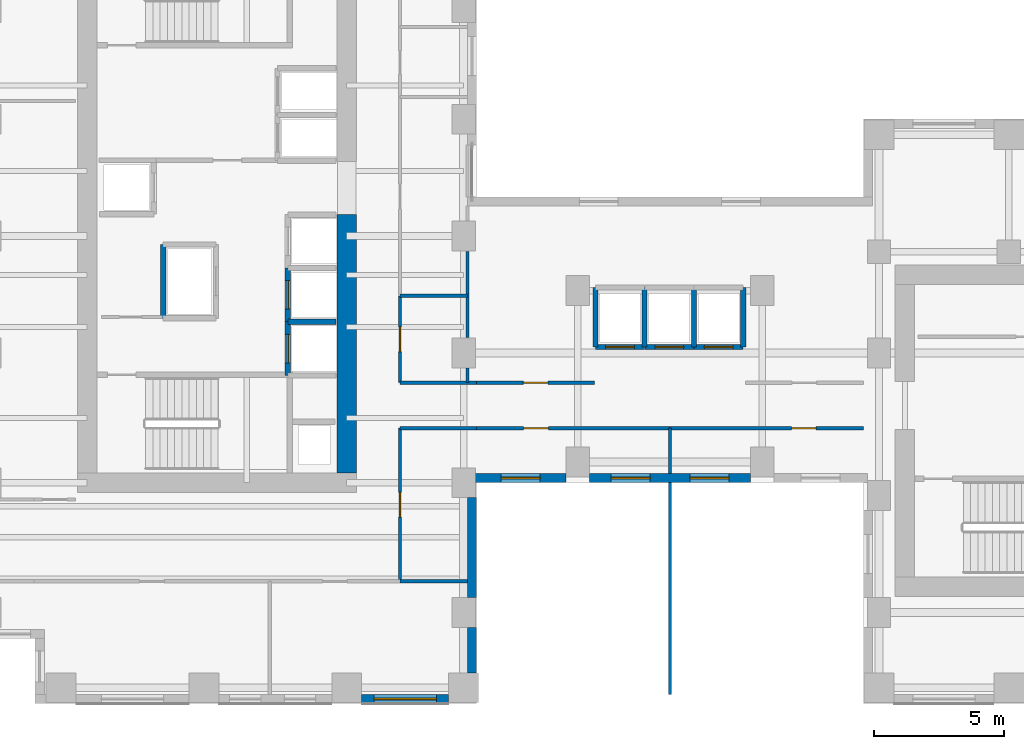
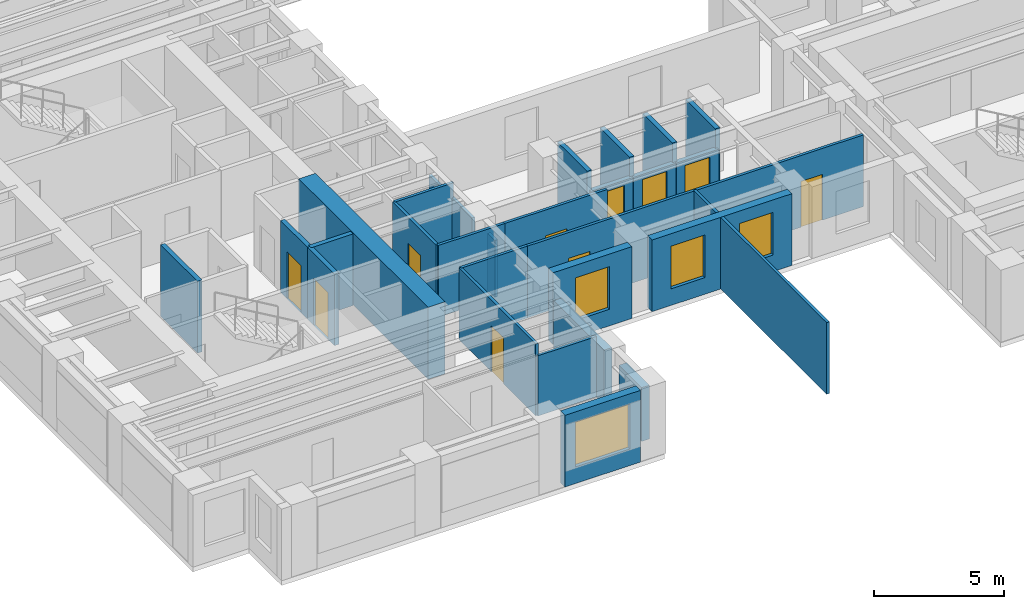
# One storey, part 7 of 14: 30 walls, 10 doors, 4 windows, 14 openings.
"""IFC4 building model written with IfcOpenShell, lengths in metres."""

from ifc_helpers import new_model, si_unit, direction, frame, frame_2d, origin, place, context, subcontext, project, spatial, rectangle, extrude, source, transform, mapped, material, layer, layer_set, type_object, element, fill, save


model = new_model("IFC4")

# Units and contexts
model_context = context("Model", 3, precision=1e-05, world=origin(), true_north=direction((0.0, 1.0)))
body_context = subcontext(model_context, "Body", "Model", "MODEL_VIEW")
ifc_project = project(units=[si_unit("LENGTHUNIT", "METRE"), si_unit("AREAUNIT", "SQUARE_METRE"), si_unit("VOLUMEUNIT", "CUBIC_METRE"), si_unit("PLANEANGLEUNIT", "RADIAN"), si_unit("MASSUNIT", "GRAM", prefix="KILO")], contexts=[model_context])

# Site, building, storey
site_placement = place(None, origin())
site = spatial("IfcSite", under=ifc_project, at=site_placement, CompositionType="ELEMENT")
building_placement = place(site_placement, origin())
building = spatial("IfcBuilding", under=site, at=building_placement, Name="Kharzan Plaza Tower", CompositionType="ELEMENT")
storey_placement = place(building_placement, frame((0.0, 0.0, 124.199951171875)))
storey = spatial("IfcBuildingStorey", under=building, at=storey_placement, Name="L33", CompositionType="ELEMENT", Elevation=124.199951171875)

# Wall, opening, window
ifc_material_1 = material(Name="Concrete C40/50", Category="concrete")
ifc_layer_1 = layer(ifc_material_1, 0.35009765625)
ifc_layer_set_1 = layer_set([ifc_layer_1], Name="Concrete C40/50")
wall_type_1 = type_object("IfcWallType", Name="WL-EXT-MAS-Z2", PredefinedType="SOLIDWALL", material=ifc_layer_set_1)
wall_1_placement = place(storey_placement, frame((15.072998046875, 0.175048828125, 0.0), z_axis=(0.0, 0.0, 1.0), x_axis=(1.0, 0.0, 0.0)))
wall_1 = element("IfcWall", 1, at=wall_1_placement, inside=storey, type_object=wall_type_1, Name="L33 Masonry-Frame Exterior Wall 31", PredefinedType="SOLIDWALL", context=body_context, shape_type="SweptSolid", body=[
    extrude(rectangle(XDim=3.35400390625, YDim=0.35009765625, at=frame_2d((1.677001953125, 0.0))), origin(), (0.0, 0.0, 1.0), 3.364990234375),
])
opening_1_placement = place(wall_1_placement, frame((0.47705078125, 0.0, 0.780029296875)))
opening_1 = element("IfcOpeningElement", 2, at=opening_1_placement, cuts=wall_1, Name="Opening W2", PredefinedType="OPENING", context=body_context, shape_type="SweptSolid", body=[
    extrude(rectangle(XDim=2.39990234375, YDim=2.10009765625, at=frame_2d((1.199951171875, 1.050048828125))), frame((0.0, 0.18505859375, 0.0), z_axis=(0.0, -1.0, 0.0), x_axis=(1.0, 0.0, 0.0)), (0.0, 0.0, 1.0), 0.3701171875),
])
ifc_material_2 = material(Name="Low-E Double Glazing", Category="glass")
window_type_1 = type_object("IfcWindowType", Name="WN-REC-2400x2100", PartitioningType="SINGLE_PANEL", PredefinedType="WINDOW", material=ifc_material_2)
shared_shape_1 = source(origin(), body_context, "Body", "SweptSolid", [
    extrude(rectangle(XDim=2.39990234375, YDim=2.10009765625, at=frame_2d((1.199951171875, 1.050048828125))), frame((0.0, 0.030029296875, 0.0), z_axis=(0.0, -1.0, 0.0), x_axis=(1.0, 0.0, 0.0)), (0.0, 0.0, 1.0), 0.06005859375),
])
window_1_placement = place(opening_1_placement, origin())
window_1 = element("IfcWindow", 3, at=window_1_placement, inside=storey, type_object=window_type_1, Name="L33 Wide Recessed Solar-Control Window 31-1", OverallHeight=2.10009765625, OverallWidth=2.39990234375, PartitioningType="SINGLE_PANEL", PredefinedType="WINDOW", context=body_context, shape_type="MappedRepresentation", body=[
    mapped(shared_shape_1, transform((0.0, 0.0, 0.0), x_axis=(1.0, 0.0, 0.0), y_axis=(0.0, 1.0, 0.0), z_axis=(0.0, 0.0, 1.0))),
])
fill(opening_1, window_1)

wall_2_placement = place(storey_placement, frame((19.447998046875, 8.675048828125, 0.0), z_axis=(0.0, 0.0, 1.0), x_axis=(1.0, 0.0, 0.0)))
wall_2 = element("IfcWall", 4, at=wall_2_placement, inside=storey, type_object=wall_type_1, Name="L33 Masonry-Frame Exterior Wall 34", PredefinedType="SOLIDWALL", context=body_context, shape_type="SweptSolid", body=[
    extrude(rectangle(XDim=3.50390625, YDim=0.35009765625, at=frame_2d((1.751953125, 0.0))), origin(), (0.0, 0.0, 1.0), 3.364990234375),
])
opening_2_placement = place(wall_2_placement, frame((1.001953125, 0.0, 0.780029296875)))
opening_2 = element("IfcOpeningElement", 5, at=opening_2_placement, cuts=wall_2, Name="Opening W5", PredefinedType="OPENING", context=body_context, shape_type="SweptSolid", body=[
    extrude(rectangle(XDim=1.5, YDim=2.0, at=frame_2d((0.75, 1.0))), frame((0.0, 0.18505859375, 0.0), z_axis=(0.0, -1.0, 0.0), x_axis=(1.0, 0.0, 0.0)), (0.0, 0.0, 1.0), 0.3701171875),
])
window_type_2 = type_object("IfcWindowType", Name="WN-SLT-1500x2000", PartitioningType="SINGLE_PANEL", PredefinedType="WINDOW", material=ifc_material_2)
shared_shape_2 = source(origin(), body_context, "Body", "SweptSolid", [
    extrude(rectangle(XDim=1.5, YDim=2.0, at=frame_2d((0.75, 1.0))), frame((0.0, 0.030029296875, 0.0), z_axis=(0.0, -1.0, 0.0), x_axis=(1.0, 0.0, 0.0)), (0.0, 0.0, 1.0), 0.06005859375),
])
window_2_placement = place(opening_2_placement, origin())
window_2 = element("IfcWindow", 6, at=window_2_placement, inside=storey, type_object=window_type_2, Name="L33 Recessed Solar-Control Window 34-1", OverallHeight=2.0, OverallWidth=1.5, PartitioningType="SINGLE_PANEL", PredefinedType="WINDOW", context=body_context, shape_type="MappedRepresentation", body=[
    mapped(shared_shape_2, transform((0.0, 0.0, 0.0), x_axis=(1.0, 0.0, 0.0), y_axis=(0.0, 1.0, 0.0), z_axis=(0.0, 0.0, 1.0))),
])
fill(opening_2, window_2)

# Wall, openings, windows
wall_3_placement = place(storey_placement, frame((23.847900390625, 8.675048828125, 0.0), z_axis=(0.0, 0.0, 1.0), x_axis=(1.0, 0.0, 0.0)))
wall_3 = element("IfcWall", 7, at=wall_3_placement, inside=storey, type_object=wall_type_1, Name="L33 Masonry-Frame Exterior Wall 35", PredefinedType="SOLIDWALL", context=body_context, shape_type="SweptSolid", body=[
    extrude(rectangle(XDim=6.2041015625, YDim=0.35009765625, at=frame_2d((3.10205078125, 0.0))), origin(), (0.0, 0.0, 1.0), 3.364990234375),
])
opening_3_placement = place(wall_3_placement, frame((0.8359375, 0.0, 0.780029296875)))
opening_3 = element("IfcOpeningElement", 8, at=opening_3_placement, cuts=wall_3, Name="Opening W5", PredefinedType="OPENING", context=body_context, shape_type="SweptSolid", body=[
    extrude(rectangle(XDim=1.5, YDim=2.0, at=frame_2d((0.75, 1.0))), frame((0.0, 0.18505859375, 0.0), z_axis=(0.0, -1.0, 0.0), x_axis=(1.0, 0.0, 0.0)), (0.0, 0.0, 1.0), 0.3701171875),
])
opening_4_placement = place(wall_3_placement, frame((3.867919921875, 0.0, 0.780029296875)))
opening_4 = element("IfcOpeningElement", 9, at=opening_4_placement, cuts=wall_3, Name="Opening W5", PredefinedType="OPENING", context=body_context, shape_type="SweptSolid", body=[
    extrude(rectangle(XDim=1.5, YDim=2.0, at=frame_2d((0.75, 1.0))), frame((0.0, 0.18505859375, 0.0), z_axis=(0.0, -1.0, 0.0), x_axis=(1.0, 0.0, 0.0)), (0.0, 0.0, 1.0), 0.3701171875),
])
window_3_placement = place(opening_3_placement, origin())
window_3 = element("IfcWindow", 10, at=window_3_placement, inside=storey, type_object=window_type_2, Name="L33 Recessed Solar-Control Window 35-1", OverallHeight=2.0, OverallWidth=1.5, PartitioningType="SINGLE_PANEL", PredefinedType="WINDOW", context=body_context, shape_type="MappedRepresentation", body=[
    mapped(shared_shape_2, transform((0.0, 0.0, 0.0), x_axis=(1.0, 0.0, 0.0), y_axis=(0.0, 1.0, 0.0), z_axis=(0.0, 0.0, 1.0))),
])
fill(opening_3, window_3)
window_4_placement = place(opening_4_placement, origin())
window_4 = element("IfcWindow", 11, at=window_4_placement, inside=storey, type_object=window_type_2, Name="L33 Recessed Solar-Control Window 35-2", OverallHeight=2.0, OverallWidth=1.5, PartitioningType="SINGLE_PANEL", PredefinedType="WINDOW", context=body_context, shape_type="MappedRepresentation", body=[
    mapped(shared_shape_2, transform((0.0, 0.0, 0.0), x_axis=(1.0, 0.0, 0.0), y_axis=(0.0, 1.0, 0.0), z_axis=(0.0, 0.0, 1.0))),
])
fill(opening_4, window_4)

# Wall, opening, door
ifc_material_3 = material(Name="Fire-Rated Gypsum Board Partition", Category="gypsum")
ifc_layer_2 = layer(ifc_material_3, 0.125)
ifc_layer_set_2 = layer_set([ifc_layer_2], Name="Fire-Rated Gypsum Board Partition")
wall_type_2 = type_object("IfcWallType", Name="WL-INT-PART-125", PredefinedType="PARTITIONING", material=ifc_layer_set_2)
wall_4_placement = place(storey_placement, frame((16.550048828125, 12.35009765625, 0.0), z_axis=(0.0, 0.0, 1.0), x_axis=(0.0, 1.0, 0.0)))
wall_4 = element("IfcWall", 12, at=wall_4_placement, inside=storey, type_object=wall_type_2, Name="L33 Interior Partition SH-AEWN1", PredefinedType="PARTITIONING", context=body_context, shape_type="SweptSolid", body=[
    extrude(rectangle(XDim=3.349853515625, YDim=0.125, at=frame_2d((1.6748046875, 0.0))), origin(), (0.0, 0.0, 1.0), 3.364990234375),
])
opening_5_placement = place(wall_4_placement, frame((1.199951171875, 0.0, 0.0)))
opening_5 = element("IfcOpeningElement", 13, at=opening_5_placement, cuts=wall_4, Name="Opening OD1", PredefinedType="OPENING", context=body_context, shape_type="SweptSolid", body=[
    extrude(rectangle(XDim=0.949951171875, YDim=2.14990234375, at=frame_2d((0.47509765625, 1.074951171875))), frame((0.0, 0.072509765625, 0.0), z_axis=(0.0, -1.0, 0.0), x_axis=(1.0, 0.0, 0.0)), (0.0, 0.0, 1.0), 0.14501953125),
])
ifc_material_4 = material(Name="Acoustic Solid-Core Stained Oak", Category="timber")
door_type_1 = type_object("IfcDoorType", Name="DR-OFF-SINGLE", OperationType="NOTDEFINED", PredefinedType="DOOR", material=ifc_material_4)
shared_shape_3 = source(origin(), body_context, "Body", "SweptSolid", [
    extrude(rectangle(XDim=0.949951171875, YDim=2.14990234375, at=frame_2d((0.47509765625, 1.074951171875))), frame((0.0, 0.02490234375, 0.0), z_axis=(0.0, -1.0, 0.0), x_axis=(1.0, 0.0, 0.0)), (0.0, 0.0, 1.0), 0.050048828125),
])
door_1_placement = place(opening_5_placement, origin())
door_1 = element("IfcDoor", 14, at=door_1_placement, inside=storey, type_object=door_type_1, Name="L33 Slot Collaboration Door", OperationType="SINGLE_SWING_RIGHT", OverallHeight=2.14990234375, OverallWidth=0.949951171875, PredefinedType="DOOR", context=body_context, shape_type="MappedRepresentation", body=[
    mapped(shared_shape_3, transform((0.0, 0.0, 0.0), x_axis=(1.0, 0.0, 0.0), y_axis=(0.0, 1.0, 0.0), z_axis=(0.0, 0.0, 1.0))),
])
fill(opening_5, door_1)

wall_5_placement = place(storey_placement, frame((16.550048828125, 4.699951171875, 0.0), z_axis=(0.0, 0.0, 1.0), x_axis=(0.0, 1.0, 0.0)))
wall_5 = element("IfcWall", 15, at=wall_5_placement, inside=storey, type_object=wall_type_2, Name="L33 Interior Partition SH-AEWS", PredefinedType="PARTITIONING", context=body_context, shape_type="SweptSolid", body=[
    extrude(rectangle(XDim=5.900146484375, YDim=0.125, at=frame_2d((2.9501953125, 0.0))), origin(), (0.0, 0.0, 1.0), 3.364990234375),
])
opening_6_placement = place(wall_5_placement, frame((2.47509765625, 0.0, 0.0)))
opening_6 = element("IfcOpeningElement", 16, at=opening_6_placement, cuts=wall_5, Name="Opening OD1", PredefinedType="OPENING", context=body_context, shape_type="SweptSolid", body=[
    extrude(rectangle(XDim=0.949951171875, YDim=2.14990234375, at=frame_2d((0.47509765625, 1.074951171875))), frame((0.0, 0.072509765625, 0.0), z_axis=(0.0, -1.0, 0.0), x_axis=(1.0, 0.0, 0.0)), (0.0, 0.0, 1.0), 0.14501953125),
])
door_2_placement = place(opening_6_placement, origin())
door_2 = element("IfcDoor", 17, at=door_2_placement, inside=storey, type_object=door_type_1, Name="L33 Slot South Office Door", OperationType="SINGLE_SWING_LEFT", OverallHeight=2.14990234375, OverallWidth=0.949951171875, PredefinedType="DOOR", context=body_context, shape_type="MappedRepresentation", body=[
    mapped(shared_shape_3, transform((0.0, 0.0, 0.0), x_axis=(1.0, 0.0, 0.0), y_axis=(0.0, 1.0, 0.0), z_axis=(0.0, 0.0, 1.0))),
])
fill(opening_6, door_2)

wall_6_placement = place(storey_placement, frame((19.5, 12.35009765625, 0.0), z_axis=(0.0, 0.0, 1.0), x_axis=(1.0, 0.0, 0.0)))
wall_6 = element("IfcWall", 18, at=wall_6_placement, inside=storey, type_object=wall_type_2, Name="L33 Interior Partition SH-SPNW1", PredefinedType="PARTITIONING", context=body_context, shape_type="SweptSolid", body=[
    extrude(rectangle(XDim=4.550048828125, YDim=0.125, at=frame_2d((2.27490234375, 0.0))), origin(), (0.0, 0.0, 1.0), 3.364990234375),
])
opening_7_placement = place(wall_6_placement, frame((1.800048828125, 0.0, 0.0)))
opening_7 = element("IfcOpeningElement", 19, at=opening_7_placement, cuts=wall_6, Name="Opening OD1", PredefinedType="OPENING", context=body_context, shape_type="SweptSolid", body=[
    extrude(rectangle(XDim=0.949951171875, YDim=2.14990234375, at=frame_2d((0.47509765625, 1.074951171875))), frame((0.0, 0.072509765625, 0.0), z_axis=(0.0, -1.0, 0.0), x_axis=(1.0, 0.0, 0.0)), (0.0, 0.0, 1.0), 0.14501953125),
])
door_3_placement = place(opening_7_placement, origin())
door_3 = element("IfcDoor", 20, at=door_3_placement, inside=storey, type_object=door_type_1, Name="L33 North-West Spine Door", OperationType="SINGLE_SWING_RIGHT", OverallHeight=2.14990234375, OverallWidth=0.949951171875, PredefinedType="DOOR", context=body_context, shape_type="MappedRepresentation", body=[
    mapped(shared_shape_3, transform((0.0, 0.0, 0.0), x_axis=(1.0, 0.0, 0.0), y_axis=(0.0, 1.0, 0.0), z_axis=(0.0, 0.0, 1.0))),
])
fill(opening_7, door_3)

wall_7_placement = place(storey_placement, frame((19.5, 10.60009765625, 0.0), z_axis=(0.0, 0.0, 1.0), x_axis=(1.0, 0.0, 0.0)))
wall_7 = element("IfcWall", 21, at=wall_7_placement, inside=storey, type_object=wall_type_2, Name="L33 Interior Partition SH-SPS1", PredefinedType="PARTITIONING", context=body_context, shape_type="SweptSolid", body=[
    extrude(rectangle(XDim=7.449951171875, YDim=0.125, at=frame_2d((3.72509765625, 0.0))), origin(), (0.0, 0.0, 1.0), 3.364990234375),
])
opening_8_placement = place(wall_7_placement, frame((1.8173828125, 0.0, 0.0)))
opening_8 = element("IfcOpeningElement", 22, at=opening_8_placement, cuts=wall_7, Name="Opening OD1", PredefinedType="OPENING", context=body_context, shape_type="SweptSolid", body=[
    extrude(rectangle(XDim=0.949951171875, YDim=2.14990234375, at=frame_2d((0.47509765625, 1.074951171875))), frame((0.0, 0.072509765625, 0.0), z_axis=(0.0, -1.0, 0.0), x_axis=(1.0, 0.0, 0.0)), (0.0, 0.0, 1.0), 0.14501953125),
])
door_4_placement = place(opening_8_placement, origin())
door_4 = element("IfcDoor", 23, at=door_4_placement, inside=storey, type_object=door_type_1, Name="L33 South Spine West Door", OperationType="SINGLE_SWING_RIGHT", OverallHeight=2.14990234375, OverallWidth=0.949951171875, PredefinedType="DOOR", context=body_context, shape_type="MappedRepresentation", body=[
    mapped(shared_shape_3, transform((0.0, 0.0, 0.0), x_axis=(1.0, 0.0, 0.0), y_axis=(0.0, 1.0, 0.0), z_axis=(0.0, 0.0, 1.0))),
])
fill(opening_8, door_4)

wall_8_placement = place(storey_placement, frame((26.949951171875, 10.60009765625, 0.0), z_axis=(0.0, 0.0, 1.0), x_axis=(1.0, 0.0, 0.0)))
wall_8 = element("IfcWall", 24, at=wall_8_placement, inside=storey, type_object=wall_type_2, Name="L33 Interior Partition SH-SPS2", PredefinedType="PARTITIONING", context=body_context, shape_type="SweptSolid", body=[
    extrude(rectangle(XDim=7.449951171875, YDim=0.125, at=frame_2d((3.72509765625, 0.0))), origin(), (0.0, 0.0, 1.0), 3.364990234375),
])
opening_9_placement = place(wall_8_placement, frame((4.6826171875, 0.0, 0.0)))
opening_9 = element("IfcOpeningElement", 25, at=opening_9_placement, cuts=wall_8, Name="Opening OD1", PredefinedType="OPENING", context=body_context, shape_type="SweptSolid", body=[
    extrude(rectangle(XDim=0.949951171875, YDim=2.14990234375, at=frame_2d((0.47509765625, 1.074951171875))), frame((0.0, 0.072509765625, 0.0), z_axis=(0.0, -1.0, 0.0), x_axis=(1.0, 0.0, 0.0)), (0.0, 0.0, 1.0), 0.14501953125),
])
door_5_placement = place(opening_9_placement, origin())
door_5 = element("IfcDoor", 26, at=door_5_placement, inside=storey, type_object=door_type_1, Name="L33 South Spine East Door", OperationType="SINGLE_SWING_LEFT", OverallHeight=2.14990234375, OverallWidth=0.949951171875, PredefinedType="DOOR", context=body_context, shape_type="MappedRepresentation", body=[
    mapped(shared_shape_3, transform((0.0, 0.0, 0.0), x_axis=(1.0, 0.0, 0.0), y_axis=(0.0, 1.0, 0.0), z_axis=(0.0, 0.0, 1.0))),
])
fill(opening_9, door_5)

ifc_layer_3 = layer(ifc_material_1, 0.199951171875)
ifc_layer_set_3 = layer_set([ifc_layer_3], Name="Concrete C40/50")
wall_type_3 = type_object("IfcWallType", Name="WL-INT-SHAFT-200", PredefinedType="PARTITIONING", material=ifc_layer_set_3)
wall_9_placement = place(storey_placement, frame((12.22998046875, 12.6298828125, 0.0), z_axis=(0.0, 0.0, 1.0), x_axis=(0.0, 1.0, 0.0)))
wall_9 = element("IfcWall", 27, at=wall_9_placement, inside=storey, type_object=wall_type_3, Name="L33 Interior Partition SHF-PL-H1-W", PredefinedType="PARTITIONING", context=body_context, shape_type="SweptSolid", body=[
    extrude(rectangle(XDim=2.070068359375, YDim=0.199951171875, at=frame_2d((1.03515625, 0.0))), origin(), (0.0, 0.0, 1.0), 3.364990234375),
])
opening_10_placement = place(wall_9_placement, frame((0.485107421875, 0.0, 0.0)))
opening_10 = element("IfcOpeningElement", 28, at=opening_10_placement, cuts=wall_9, Name="Opening LD", PredefinedType="OPENING", context=body_context, shape_type="SweptSolid", body=[
    extrude(rectangle(XDim=1.10009765625, YDim=2.199951171875, at=frame_2d((0.550048828125, 1.10009765625))), frame((0.0, 0.10986328125, 0.0), z_axis=(0.0, -1.0, 0.0), x_axis=(1.0, 0.0, 0.0)), (0.0, 0.0, 1.0), 0.219970703125),
])
ifc_material_5 = material(Name="Brushed Stainless Steel", Category="steel")
door_type_2 = type_object("IfcDoorType", Name="DR-LIFT-SLIDE", OperationType="SLIDING_TO_LEFT", PredefinedType="DOOR", material=ifc_material_5)
shared_shape_4 = source(origin(), body_context, "Body", "SweptSolid", [
    extrude(rectangle(XDim=1.10009765625, YDim=2.199951171875, at=frame_2d((0.550048828125, 1.10009765625))), frame((0.0, 0.02490234375, 0.0), z_axis=(0.0, -1.0, 0.0), x_axis=(1.0, 0.0, 0.0)), (0.0, 0.0, 1.0), 0.050048828125),
])
door_6_placement = place(opening_10_placement, origin())
door_6 = element("IfcDoor", 29, at=door_6_placement, inside=storey, type_object=door_type_2, Name="L33 High-Rise Passenger Lift PL-H1 Sliding Landing Door", OperationType="SLIDING_TO_LEFT", OverallHeight=2.199951171875, OverallWidth=1.10009765625, PredefinedType="DOOR", context=body_context, shape_type="MappedRepresentation", body=[
    mapped(shared_shape_4, transform((0.0, 0.0, 0.0), x_axis=(1.0, 0.0, 0.0), y_axis=(0.0, 1.0, 0.0), z_axis=(0.0, 0.0, 1.0))),
])
fill(opening_10, door_6)

wall_10_placement = place(storey_placement, frame((12.22998046875, 14.699951171875, 0.0), z_axis=(0.0, 0.0, 1.0), x_axis=(0.0, 1.0, 0.0)))
wall_10 = element("IfcWall", 30, at=wall_10_placement, inside=storey, type_object=wall_type_3, Name="L33 Interior Partition SHF-PL-H2-W", PredefinedType="PARTITIONING", context=body_context, shape_type="SweptSolid", body=[
    extrude(rectangle(XDim=2.070068359375, YDim=0.199951171875, at=frame_2d((1.03515625, 0.0))), origin(), (0.0, 0.0, 1.0), 3.364990234375),
])
opening_11_placement = place(wall_10_placement, frame((0.485107421875, 0.0, 0.0)))
opening_11 = element("IfcOpeningElement", 31, at=opening_11_placement, cuts=wall_10, Name="Opening LD", PredefinedType="OPENING", context=body_context, shape_type="SweptSolid", body=[
    extrude(rectangle(XDim=1.10009765625, YDim=2.199951171875, at=frame_2d((0.550048828125, 1.10009765625))), frame((0.0, 0.10986328125, 0.0), z_axis=(0.0, -1.0, 0.0), x_axis=(1.0, 0.0, 0.0)), (0.0, 0.0, 1.0), 0.219970703125),
])
door_7_placement = place(opening_11_placement, origin())
door_7 = element("IfcDoor", 32, at=door_7_placement, inside=storey, type_object=door_type_2, Name="L33 High-Rise Passenger Lift PL-H2 Sliding Landing Door", OperationType="SLIDING_TO_LEFT", OverallHeight=2.199951171875, OverallWidth=1.10009765625, PredefinedType="DOOR", context=body_context, shape_type="MappedRepresentation", body=[
    mapped(shared_shape_4, transform((0.0, 0.0, 0.0), x_axis=(1.0, 0.0, 0.0), y_axis=(0.0, 1.0, 0.0), z_axis=(0.0, 0.0, 1.0))),
])
fill(opening_11, door_7)

wall_11_placement = place(storey_placement, frame((24.080078125, 13.72998046875, 0.0), z_axis=(0.0, 0.0, 1.0), x_axis=(1.0, 0.0, 0.0)))
wall_11 = element("IfcWall", 33, at=wall_11_placement, inside=storey, type_object=wall_type_3, Name="L33 Interior Partition SHF-PL-M1-S", PredefinedType="PARTITIONING", context=body_context, shape_type="SweptSolid", body=[
    extrude(rectangle(XDim=1.889892578125, YDim=0.199951171875, at=frame_2d((0.94482421875, 0.0))), origin(), (0.0, 0.0, 1.0), 2.446044921875),
])
opening_12_placement = place(wall_11_placement, frame((0.39501953125, 0.0, 0.0)))
opening_12 = element("IfcOpeningElement", 34, at=opening_12_placement, cuts=wall_11, Name="Opening LD", PredefinedType="OPENING", context=body_context, shape_type="SweptSolid", body=[
    extrude(rectangle(XDim=1.10009765625, YDim=2.199951171875, at=frame_2d((0.550048828125, 1.10009765625))), frame((0.0, 0.10986328125, 0.0), z_axis=(0.0, -1.0, 0.0), x_axis=(1.0, 0.0, 0.0)), (0.0, 0.0, 1.0), 0.219970703125),
])
door_8_placement = place(opening_12_placement, origin())
door_8 = element("IfcDoor", 35, at=door_8_placement, inside=storey, type_object=door_type_2, Name="L33 Mid-Rise Passenger Lift PL-M1 Sliding Landing Door", OperationType="SLIDING_TO_LEFT", OverallHeight=2.199951171875, OverallWidth=1.10009765625, PredefinedType="DOOR", context=body_context, shape_type="MappedRepresentation", body=[
    mapped(shared_shape_4, transform((0.0, 0.0, 0.0), x_axis=(1.0, 0.0, 0.0), y_axis=(0.0, 1.0, 0.0), z_axis=(0.0, 0.0, 1.0))),
])
fill(opening_12, door_8)

wall_12_placement = place(storey_placement, frame((25.97998046875, 13.72998046875, 0.0), z_axis=(0.0, 0.0, 1.0), x_axis=(1.0, 0.0, 0.0)))
wall_12 = element("IfcWall", 36, at=wall_12_placement, inside=storey, type_object=wall_type_3, Name="L33 Interior Partition SHF-PL-M2-S", PredefinedType="PARTITIONING", context=body_context, shape_type="SweptSolid", body=[
    extrude(rectangle(XDim=1.89013671875, YDim=0.199951171875, at=frame_2d((0.945068359375, 0.0))), origin(), (0.0, 0.0, 1.0), 2.446044921875),
])
opening_13_placement = place(wall_12_placement, frame((0.39501953125, 0.0, 0.0)))
opening_13 = element("IfcOpeningElement", 37, at=opening_13_placement, cuts=wall_12, Name="Opening LD", PredefinedType="OPENING", context=body_context, shape_type="SweptSolid", body=[
    extrude(rectangle(XDim=1.10009765625, YDim=2.199951171875, at=frame_2d((0.550048828125, 1.10009765625))), frame((0.0, 0.10986328125, 0.0), z_axis=(0.0, -1.0, 0.0), x_axis=(1.0, 0.0, 0.0)), (0.0, 0.0, 1.0), 0.219970703125),
])
door_9_placement = place(opening_13_placement, origin())
door_9 = element("IfcDoor", 38, at=door_9_placement, inside=storey, type_object=door_type_2, Name="L33 Mid-Rise Passenger Lift PL-M2 Sliding Landing Door", OperationType="SLIDING_TO_LEFT", OverallHeight=2.199951171875, OverallWidth=1.10009765625, PredefinedType="DOOR", context=body_context, shape_type="MappedRepresentation", body=[
    mapped(shared_shape_4, transform((0.0, 0.0, 0.0), x_axis=(1.0, 0.0, 0.0), y_axis=(0.0, 1.0, 0.0), z_axis=(0.0, 0.0, 1.0))),
])
fill(opening_13, door_9)

wall_13_placement = place(storey_placement, frame((27.8798828125, 13.72998046875, 0.0), z_axis=(0.0, 0.0, 1.0), x_axis=(1.0, 0.0, 0.0)))
wall_13 = element("IfcWall", 39, at=wall_13_placement, inside=storey, type_object=wall_type_3, Name="L33 Interior Partition SHF-PL-M3-S", PredefinedType="PARTITIONING", context=body_context, shape_type="SweptSolid", body=[
    extrude(rectangle(XDim=1.89013671875, YDim=0.199951171875, at=frame_2d((0.945068359375, 0.0))), origin(), (0.0, 0.0, 1.0), 2.446044921875),
])
opening_14_placement = place(wall_13_placement, frame((0.39501953125, 0.0, 0.0)))
opening_14 = element("IfcOpeningElement", 40, at=opening_14_placement, cuts=wall_13, Name="Opening LD", PredefinedType="OPENING", context=body_context, shape_type="SweptSolid", body=[
    extrude(rectangle(XDim=1.10009765625, YDim=2.199951171875, at=frame_2d((0.550048828125, 1.10009765625))), frame((0.0, 0.10986328125, 0.0), z_axis=(0.0, -1.0, 0.0), x_axis=(1.0, 0.0, 0.0)), (0.0, 0.0, 1.0), 0.219970703125),
])
door_10_placement = place(opening_14_placement, origin())
door_10 = element("IfcDoor", 41, at=door_10_placement, inside=storey, type_object=door_type_2, Name="L33 Mid-Rise Passenger Lift PL-M3 Sliding Landing Door", OperationType="SLIDING_TO_LEFT", OverallHeight=2.199951171875, OverallWidth=1.10009765625, PredefinedType="DOOR", context=body_context, shape_type="MappedRepresentation", body=[
    mapped(shared_shape_4, transform((0.0, 0.0, 0.0), x_axis=(1.0, 0.0, 0.0), y_axis=(0.0, 1.0, 0.0), z_axis=(0.0, 0.0, 1.0))),
])
fill(opening_14, door_10)

# Walls
shared_shape_5 = source(origin(), body_context, "Body", "SweptSolid", [
    extrude(rectangle(XDim=2.949951171875, YDim=0.125, at=frame_2d((1.47509765625, 0.0))), origin(), (0.0, 0.0, 1.0), 3.364990234375),
])
for number, where, z_axis, x_axis, name in (
    (42, (16.550048828125, 12.35009765625, 0.0), (0.0, 0.0, 1.0), (1.0, 0.0, 0.0), "L33 Interior Partition SH-SPNW0"),
    (43, (16.550048828125, 10.60009765625, 0.0), (0.0, 0.0, 1.0), (1.0, 0.0, 0.0), "L33 Interior Partition SH-SPS0"),
):
    element("IfcWall", number, at=place(storey_placement, frame(where, z_axis=z_axis, x_axis=x_axis)), inside=storey, type_object=wall_type_2, Name=name, PredefinedType="PARTITIONING", context=body_context, shape_type="MappedRepresentation", body=[
        mapped(shared_shape_5, transform((0.0, 0.0, 0.0), x_axis=(1.0, 0.0, 0.0), y_axis=(0.0, 1.0, 0.0), z_axis=(0.0, 0.0, 1.0))),
    ])
shared_shape_6 = source(origin(), body_context, "Body", "SweptSolid", [
    extrude(rectangle(XDim=2.2900390625, YDim=0.199951171875, at=frame_2d((1.14501953125, 0.0))), origin(), (0.0, 0.0, 1.0), 3.364990234375),
])
for number, where, z_axis, x_axis, name in (
    (44, (25.969970703125, 13.72998046875, 0.0), (0.0, 0.0, 1.0), (0.0, 1.0, 0.0), "L33 Interior Partition SHF-PL-M1-E"),
    (45, (24.080078125, 13.72998046875, 0.0), (0.0, 0.0, 1.0), (0.0, 1.0, 0.0), "L33 Interior Partition SHF-PL-M1-W"),
    (46, (27.8701171875, 13.72998046875, 0.0), (0.0, 0.0, 1.0), (0.0, 1.0, 0.0), "L33 Interior Partition SHF-PL-M2-E"),
    (47, (29.77001953125, 13.72998046875, 0.0), (0.0, 0.0, 1.0), (0.0, 1.0, 0.0), "L33 Interior Partition SHF-PL-M3-E"),
):
    element("IfcWall", number, at=place(storey_placement, frame(where, z_axis=z_axis, x_axis=x_axis)), inside=storey, type_object=wall_type_3, Name=name, PredefinedType="PARTITIONING", context=body_context, shape_type="MappedRepresentation", body=[
        mapped(shared_shape_6, transform((0.0, 0.0, 0.0), x_axis=(1.0, 0.0, 0.0), y_axis=(0.0, 1.0, 0.0), z_axis=(0.0, 0.0, 1.0))),
    ])
shared_shape_7 = source(origin(), body_context, "Body", "SweptSolid", [
    extrude(rectangle(XDim=2.83984375, YDim=0.199951171875, at=frame_2d((1.419921875, 0.0))), origin(), (0.0, 0.0, 1.0), 3.364990234375),
])
wall_14_placement = place(storey_placement, frame((7.429931640625, 14.830078125, 0.0), z_axis=(0.0, 0.0, 1.0), x_axis=(0.0, 1.0, 0.0)))
element("IfcWall", 48, at=wall_14_placement, inside=storey, type_object=wall_type_3, Name="L33 Interior Partition SHF-SVL-1-W", PredefinedType="PARTITIONING", context=body_context, shape_type="MappedRepresentation", body=[
    mapped(shared_shape_7, transform((0.0, 0.0, 0.0), x_axis=(1.0, 0.0, 0.0), y_axis=(0.0, 1.0, 0.0), z_axis=(0.0, 0.0, 1.0))),
])
shared_shape_8 = source(origin(), body_context, "Body", "SweptSolid", [
    extrude(rectangle(XDim=8.14794921875, YDim=0.125, at=frame_2d((4.073974609375, 0.0))), origin(), (0.0, 0.0, 1.0), 3.364990234375),
])
wall_15_placement = place(storey_placement, frame((26.949951171875, 0.35009765625, 0.0), z_axis=(0.0, 0.0, 1.0), x_axis=(0.0, 1.0, 0.0)))
element("IfcWall", 49, at=wall_15_placement, inside=storey, type_object=wall_type_2, Name="L33 Interior Partition SH-SPSV1-S1", PredefinedType="PARTITIONING", context=body_context, shape_type="MappedRepresentation", body=[
    mapped(shared_shape_8, transform((0.0, 0.0, 0.0), x_axis=(1.0, 0.0, 0.0), y_axis=(0.0, 1.0, 0.0), z_axis=(0.0, 0.0, 1.0))),
])
shared_shape_9 = source(origin(), body_context, "Body", "SweptSolid", [
    extrude(rectangle(XDim=1.748046875, YDim=0.125, at=frame_2d((0.8740234375, 0.0))), origin(), (0.0, 0.0, 1.0), 3.364990234375),
])
wall_16_placement = place(storey_placement, frame((26.949951171875, 8.85205078125, 0.0), z_axis=(0.0, 0.0, 1.0), x_axis=(0.0, 1.0, 0.0)))
element("IfcWall", 50, at=wall_16_placement, inside=storey, type_object=wall_type_2, Name="L33 Interior Partition SH-SPSV1-S2", PredefinedType="PARTITIONING", context=body_context, shape_type="MappedRepresentation", body=[
    mapped(shared_shape_9, transform((0.0, 0.0, 0.0), x_axis=(1.0, 0.0, 0.0), y_axis=(0.0, 1.0, 0.0), z_axis=(0.0, 0.0, 1.0))),
])
shared_shape_10 = source(origin(), body_context, "Body", "SweptSolid", [
    extrude(rectangle(XDim=2.599853515625, YDim=0.125, at=frame_2d((1.2998046875, 0.0))), origin(), (0.0, 0.0, 1.0), 3.364990234375),
])
wall_17_placement = place(storey_placement, frame((16.550048828125, 15.699951171875, 0.0), z_axis=(0.0, 0.0, 1.0), x_axis=(1.0, 0.0, 0.0)))
element("IfcWall", 51, at=wall_17_placement, inside=storey, type_object=wall_type_2, Name="L33 Interior Partition SH-AEH-157", PredefinedType="PARTITIONING", context=body_context, shape_type="MappedRepresentation", body=[
    mapped(shared_shape_10, transform((0.0, 0.0, 0.0), x_axis=(1.0, 0.0, 0.0), y_axis=(0.0, 1.0, 0.0), z_axis=(0.0, 0.0, 1.0))),
])
shared_shape_11 = source(origin(), body_context, "Body", "SweptSolid", [
    extrude(rectangle(XDim=2.597900390625, YDim=0.125, at=frame_2d((1.298828125, 0.0))), origin(), (0.0, 0.0, 1.0), 2.828125),
])
wall_18_placement = place(storey_placement, frame((16.550048828125, 4.699951171875, 0.0), z_axis=(0.0, 0.0, 1.0), x_axis=(1.0, 0.0, 0.0)))
element("IfcWall", 52, at=wall_18_placement, inside=storey, type_object=wall_type_2, Name="L33 Interior Partition SH-SSE-2", PredefinedType="PARTITIONING", context=body_context, shape_type="MappedRepresentation", body=[
    mapped(shared_shape_11, transform((0.0, 0.0, 0.0), x_axis=(1.0, 0.0, 0.0), y_axis=(0.0, 1.0, 0.0), z_axis=(0.0, 0.0, 1.0))),
])
ifc_material_6 = material(Name="Concrete C60/75", Category="concrete")
ifc_layer_4 = layer(ifc_material_6, 0.75)
ifc_layer_set_4 = layer_set([ifc_layer_4], Name="Concrete C60/75")
wall_type_4 = type_object("IfcWallType", Name="WL-CORE-750", PredefinedType="SHEAR", material=ifc_layer_set_4)
shared_shape_12 = source(origin(), body_context, "Body", "SweptSolid", [
    extrude(rectangle(XDim=9.945068359375, YDim=0.75, at=frame_2d((4.97265625, 0.0))), origin(), (0.0, 0.0, 1.0), 3.380126953125),
])
wall_19_placement = place(storey_placement, frame((14.5, 8.875, 0.0), z_axis=(0.0, 0.0, 1.0), x_axis=(0.0, 1.0, 0.0)))
element("IfcWall", 53, at=wall_19_placement, inside=storey, type_object=wall_type_4, Name="L33 CORE-A east shear pier 1", PredefinedType="SHEAR", context=body_context, shape_type="MappedRepresentation", body=[
    mapped(shared_shape_12, transform((0.0, 0.0, 0.0), x_axis=(1.0, 0.0, 0.0), y_axis=(0.0, 1.0, 0.0), z_axis=(0.0, 0.0, 1.0))),
])
shared_shape_13 = source(origin(), body_context, "Body", "SweptSolid", [
    extrude(rectangle(XDim=1.75390625, YDim=0.35009765625, at=frame_2d((0.876953125, 0.0))), origin(), (0.0, 0.0, 1.0), 2.51904296875),
])
wall_20_placement = place(storey_placement, frame((19.324951171875, 1.173095703125, 0.0), z_axis=(0.0, 0.0, 1.0), x_axis=(0.0, 1.0, 0.0)))
element("IfcWall", 54, at=wall_20_placement, inside=storey, type_object=wall_type_1, Name="L33 Masonry-Frame Exterior Wall 32", PredefinedType="SOLIDWALL", context=body_context, shape_type="MappedRepresentation", body=[
    mapped(shared_shape_13, transform((0.0, 0.0, 0.0), x_axis=(1.0, 0.0, 0.0), y_axis=(0.0, 1.0, 0.0), z_axis=(0.0, 0.0, 1.0))),
])
shared_shape_14 = source(origin(), body_context, "Body", "SweptSolid", [
    extrude(rectangle(XDim=0.559814453125, YDim=0.125, at=frame_2d((0.27978515625, 0.0))), origin(), (0.0, 0.0, 1.0), 2.677001953125),
])
wall_21_placement = place(storey_placement, frame((19.14990234375, 12.35009765625, 0.0), z_axis=(0.0, 0.0, 1.0), x_axis=(0.0, 1.0, 0.0)))
element("IfcWall", 55, at=wall_21_placement, inside=storey, type_object=wall_type_2, Name="L33 Interior Partition SH-AEN-DIV-S1", PredefinedType="PARTITIONING", context=body_context, shape_type="MappedRepresentation", body=[
    mapped(shared_shape_14, transform((0.0, 0.0, 0.0), x_axis=(1.0, 0.0, 0.0), y_axis=(0.0, 1.0, 0.0), z_axis=(0.0, 0.0, 1.0))),
])
shared_shape_15 = source(origin(), body_context, "Body", "SweptSolid", [
    extrude(rectangle(XDim=3.31982421875, YDim=0.125, at=frame_2d((1.659912109375, 0.0))), origin(), (0.0, 0.0, 1.0), 2.677001953125),
])
wall_22_placement = place(storey_placement, frame((19.14990234375, 14.090087890625, 0.0), z_axis=(0.0, 0.0, 1.0), x_axis=(0.0, 1.0, 0.0)))
element("IfcWall", 56, at=wall_22_placement, inside=storey, type_object=wall_type_2, Name="L33 Interior Partition SH-AEN-DIV-S2", PredefinedType="PARTITIONING", context=body_context, shape_type="MappedRepresentation", body=[
    mapped(shared_shape_15, transform((0.0, 0.0, 0.0), x_axis=(1.0, 0.0, 0.0), y_axis=(0.0, 1.0, 0.0), z_axis=(0.0, 0.0, 1.0))),
])
shared_shape_16 = source(origin(), body_context, "Body", "SweptSolid", [
    extrude(rectangle(XDim=1.864990234375, YDim=0.199951171875, at=frame_2d((0.9326171875, 0.0))), origin(), (0.0, 0.0, 1.0), 3.364990234375),
])
wall_23_placement = place(storey_placement, frame((12.22998046875, 14.699951171875, 0.0), z_axis=(0.0, 0.0, 1.0), x_axis=(1.0, 0.0, 0.0)))
element("IfcWall", 57, at=wall_23_placement, inside=storey, type_object=wall_type_3, Name="L33 Interior Partition SHF-PL-H1-N", PredefinedType="PARTITIONING", context=body_context, shape_type="MappedRepresentation", body=[
    mapped(shared_shape_16, transform((0.0, 0.0, 0.0), x_axis=(1.0, 0.0, 0.0), y_axis=(0.0, 1.0, 0.0), z_axis=(0.0, 0.0, 1.0))),
])
shared_shape_17 = source(origin(), body_context, "Body", "SweptSolid", [
    extrude(rectangle(XDim=3.85400390625, YDim=0.35009765625, at=frame_2d((1.927001953125, 0.0))), origin(), (0.0, 0.0, 1.0), 2.51904296875),
])
wall_24_placement = place(storey_placement, frame((19.324951171875, 4.072998046875, 0.0), z_axis=(0.0, 0.0, 1.0), x_axis=(0.0, 1.0, 0.0)))
element("IfcWall", 58, at=wall_24_placement, inside=storey, type_object=wall_type_1, Name="L33 Masonry-Frame Exterior Wall 33", PredefinedType="SOLIDWALL", context=body_context, shape_type="MappedRepresentation", body=[
    mapped(shared_shape_17, transform((0.0, 0.0, 0.0), x_axis=(1.0, 0.0, 0.0), y_axis=(0.0, 1.0, 0.0), z_axis=(0.0, 0.0, 1.0))),
])

save(model, "model.ifc")
